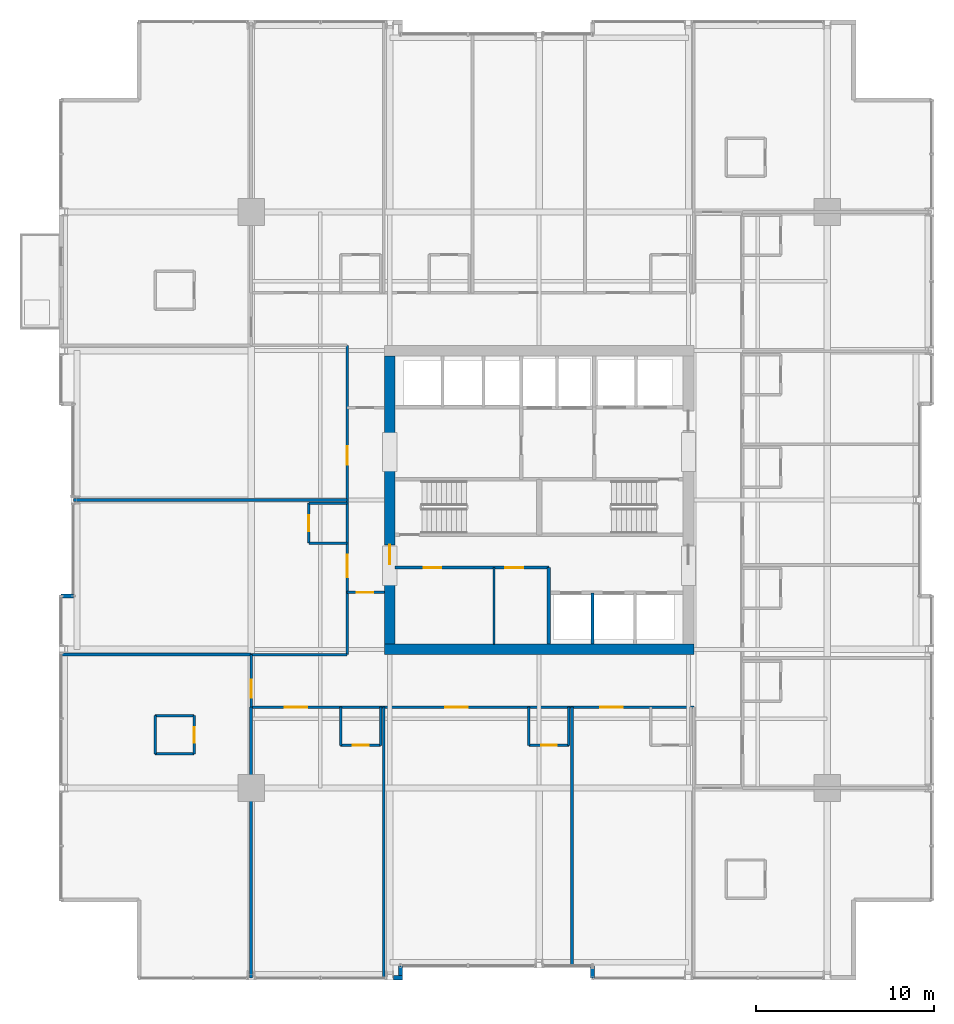
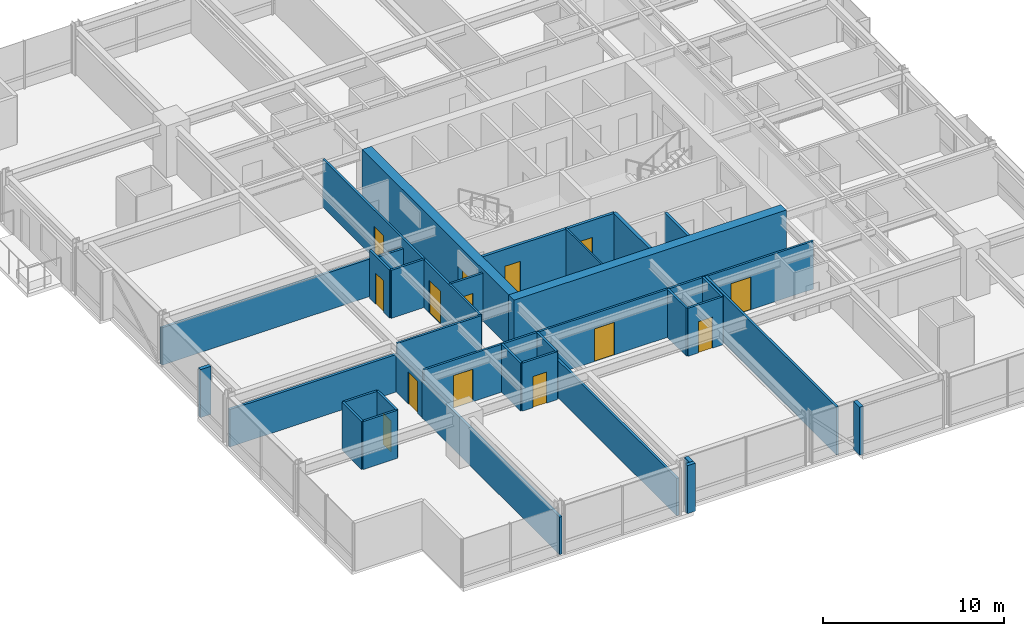
# One storey, part 28 of 35: 33 walls, 14 doors, 14 openings.
"""IFC4 building model written with IfcOpenShell, lengths in metres."""

from ifc_helpers import new_model, si_unit, direction, frame, frame_2d, origin, place, context, subcontext, project, spatial, rectangle, extrude, material, layer, layer_set, type_object, element, fill, save


model = new_model("IFC4")

# Units and contexts
model_context = context("Model", 3, precision=1e-05, world=origin(), true_north=direction((0.0, 1.0)))
body_context = subcontext(model_context, "Body", "Model", "MODEL_VIEW")
ifc_project = project(units=[si_unit("LENGTHUNIT", "METRE"), si_unit("AREAUNIT", "SQUARE_METRE"), si_unit("VOLUMEUNIT", "CUBIC_METRE"), si_unit("PLANEANGLEUNIT", "RADIAN"), si_unit("MASSUNIT", "GRAM", prefix="KILO")], contexts=[model_context])

# Site, building, storey
site_placement = place(None, origin())
site = spatial("IfcSite", under=ifc_project, at=site_placement, CompositionType="ELEMENT")
building_placement = place(site_placement, origin())
building = spatial("IfcBuilding", under=site, at=building_placement, Name="Drelvath Grand Hotel", CompositionType="ELEMENT")
storey_placement = place(building_placement, frame((0.0, 0.0, 130.300048828125)))
storey = spatial("IfcBuildingStorey", under=building, at=storey_placement, Name="L33", CompositionType="ELEMENT", Elevation=130.300048828125)

# Walls
ifc_material_1 = material(Name="Gypsum Partition Board")
ifc_layer_1 = layer(ifc_material_1, 0.10009765625)
ifc_layer_set_1 = layer_set([ifc_layer_1], Name="Gypsum Partition Board")
wall_type_1 = type_object("IfcWallType", Name="Core Closet Partition 100", PredefinedType="PARTITIONING", material=ifc_layer_set_1)
wall_1_placement = place(storey_placement, frame((-2.5400390625, 18.89990234375, 0.0), z_axis=(0.0, 0.0, 1.0), x_axis=(0.0, 1.0, 0.0)))
element("IfcWall", 1, at=wall_1_placement, inside=storey, type_object=wall_type_1, Name="L33 Reclaimed Core Split Wall", PredefinedType="PARTITIONING", context=body_context, shape_type="SweptSolid", body=[
    extrude(rectangle(XDim=4.300048828125, YDim=0.10009765625, at=frame_2d((2.14990234375, 0.0))), origin(), (0.0, 0.0, 1.0), 3.239990234375),
])
ifc_material_2 = material(Name="Concrete C40/50", Category="concrete")
ifc_layer_2 = layer(ifc_material_2, 0.199951171875)
ifc_layer_set_2 = layer_set([ifc_layer_2], Name="Concrete C40/50")
wall_type_2 = type_object("IfcWallType", Name="Core Hoistway Fire Wall 200", PredefinedType="SOLIDWALL", material=ifc_layer_set_2)
wall_2_placement = place(storey_placement, frame((0.550048828125, 18.89990234375, 0.0), z_axis=(0.0, 0.0, 1.0), x_axis=(0.0, 1.0, 0.0)))
element("IfcWall", 2, at=wall_2_placement, inside=storey, type_object=wall_type_2, Name="L33 Bank 2 West Wall", PredefinedType="SOLIDWALL", context=body_context, shape_type="SweptSolid", body=[
    extrude(rectangle(XDim=4.300048828125, YDim=0.199951171875, at=frame_2d((2.14990234375, 0.0))), origin(), (0.0, 0.0, 1.0), 3.239990234375),
])
ifc_material_3 = material(Name="Gypsum Fireboard Partition")
ifc_layer_3 = layer(ifc_material_3, 0.1650390625)
ifc_layer_set_3 = layer_set([ifc_layer_3], Name="Gypsum Fireboard Partition")
wall_type_3 = type_object("IfcWallType", Name="Core Shaft Partition 165", PredefinedType="PARTITIONING", material=ifc_layer_set_3)
wall_3_placement = place(storey_placement, frame((3.0, 18.89990234375, 0.0), z_axis=(0.0, 0.0, 1.0), x_axis=(0.0, 1.0, 0.0)))
element("IfcWall", 3, at=wall_3_placement, inside=storey, type_object=wall_type_3, Name="L33 Lift PE-4/5 Divider", PredefinedType="PARTITIONING", context=body_context, shape_type="SweptSolid", body=[
    extrude(rectangle(XDim=2.880126953125, YDim=0.1650390625, at=frame_2d((1.43994140625, 0.0))), origin(), (0.0, 0.0, 1.0), 3.239990234375),
])

# Wall, opening, door
ifc_layer_4 = layer(ifc_material_3, 0.135009765625)
ifc_layer_set_4 = layer_set([ifc_layer_4], Name="Gypsum Fireboard Partition")
wall_type_4 = type_object("IfcWallType", Name="Corridor Fire Barrier Wall 135", PredefinedType="PARTITIONING", material=ifc_layer_set_4)
wall_4_placement = place(storey_placement, frame((-10.800048828125, 21.800048828125, 0.0), z_axis=(0.0, 0.0, 1.0), x_axis=(1.0, 0.0, 0.0)))
wall_4 = element("IfcWall", 4, at=wall_4_placement, inside=storey, type_object=wall_type_4, Name="L33 West Foyer South Wall", PredefinedType="PARTITIONING", context=body_context, shape_type="SweptSolid", body=[
    extrude(rectangle(XDim=2.10009765625, YDim=0.135009765625, at=frame_2d((1.050048828125, 0.0))), origin(), (0.0, 0.0, 1.0), 3.239990234375),
])
opening_1_placement = place(wall_4_placement, frame((0.550048828125, 0.0, 0.0)))
opening_1 = element("IfcOpeningElement", 5, at=opening_1_placement, cuts=wall_4, Name="Opening D-T2G4-017", PredefinedType="OPENING", context=body_context, shape_type="SweptSolid", body=[
    extrude(rectangle(XDim=0.919921875, YDim=2.10009765625, at=frame_2d((0.4599609375, 1.050048828125))), frame((0.0, 0.077392578125, 0.0), z_axis=(0.0, -1.0, 0.0), x_axis=(1.0, 0.0, 0.0)), (0.0, 0.0, 1.0), 0.155029296875),
])
ifc_material_4 = material(Name="Painted Steel S275", Category="steel")
door_type_1 = type_object("IfcDoorType", Name="Staff Utility Door 920x2100", OperationType="NOTDEFINED", PredefinedType="DOOR", material=ifc_material_4)
door_1_placement = place(opening_1_placement, origin())
door_1 = element("IfcDoor", 6, at=door_1_placement, inside=storey, type_object=door_type_1, Name="L33 West Linen Closet Door", OperationType="SINGLE_SWING_RIGHT", OverallHeight=2.10009765625, OverallWidth=0.919921875, PredefinedType="DOOR", context=body_context, shape_type="SweptSolid", body=[
    extrude(rectangle(XDim=0.919921875, YDim=2.10009765625, at=frame_2d((0.4599609375, 1.050048828125))), frame((0.0, 0.02490234375, 0.0), z_axis=(0.0, -1.0, 0.0), x_axis=(1.0, 0.0, 0.0)), (0.0, 0.0, 1.0), 0.050048828125),
])
fill(opening_1, door_1)

# Wall
wall_5_placement = place(storey_placement, frame((-16.199951171875, 18.300048828125, 0.0), z_axis=(0.0, 0.0, 1.0), x_axis=(1.0, 0.0, 0.0)))
element("IfcWall", 7, at=wall_5_placement, inside=storey, type_object=wall_type_4, Name="L33 SW Stub North Wall", PredefinedType="PARTITIONING", context=body_context, shape_type="SweptSolid", body=[
    extrude(rectangle(XDim=5.39990234375, YDim=0.135009765625, at=frame_2d((2.699951171875, 0.0))), origin(), (0.0, 0.0, 1.0), 3.239990234375),
])

# Wall, openings, doors
wall_6_placement = place(storey_placement, frame((-16.199951171875, 15.35009765625, 0.0), z_axis=(0.0, 0.0, 1.0), x_axis=(1.0, 0.0, 0.0)))
wall_6 = element("IfcWall", 8, at=wall_6_placement, inside=storey, type_object=wall_type_4, Name="L33 South Stub Corridor Wall", PredefinedType="PARTITIONING", context=body_context, shape_type="SweptSolid", body=[
    extrude(rectangle(XDim=24.89990234375, YDim=0.135009765625, at=frame_2d((12.449951171875, 0.0))), origin(), (0.0, 0.0, 1.0), 3.239990234375),
])
opening_2_placement = place(wall_6_placement, frame((1.889892578125, 0.0, 0.0)))
opening_2 = element("IfcOpeningElement", 9, at=opening_2_placement, cuts=wall_6, Name="Opening D-T2G4-028", PredefinedType="OPENING", context=body_context, shape_type="SweptSolid", body=[
    extrude(rectangle(XDim=1.260009765625, YDim=2.199951171875, at=frame_2d((0.6298828125, 1.10009765625))), frame((0.0, 0.077392578125, 0.0), z_axis=(0.0, -1.0, 0.0), x_axis=(1.0, 0.0, 0.0)), (0.0, 0.0, 1.0), 0.155029296875),
])
opening_3_placement = place(wall_6_placement, frame((10.916259765625, 0.0, 0.0)))
opening_3 = element("IfcOpeningElement", 10, at=opening_3_placement, cuts=wall_6, Name="Opening D-T2G4-030", PredefinedType="OPENING", context=body_context, shape_type="SweptSolid", body=[
    extrude(rectangle(XDim=1.260009765625, YDim=2.199951171875, at=frame_2d((0.6298828125, 1.10009765625))), frame((0.0, 0.077392578125, 0.0), z_axis=(0.0, -1.0, 0.0), x_axis=(1.0, 0.0, 0.0)), (0.0, 0.0, 1.0), 0.155029296875),
])
opening_4_placement = place(wall_6_placement, frame((19.631103515625, 0.0, 0.0)))
opening_4 = element("IfcOpeningElement", 11, at=opening_4_placement, cuts=wall_6, Name="Opening D-T2G4-032", PredefinedType="OPENING", context=body_context, shape_type="SweptSolid", body=[
    extrude(rectangle(XDim=1.260009765625, YDim=2.199951171875, at=frame_2d((0.6298828125, 1.10009765625))), frame((0.0, 0.077392578125, 0.0), z_axis=(0.0, -1.0, 0.0), x_axis=(1.0, 0.0, 0.0)), (0.0, 0.0, 1.0), 0.155029296875),
])
ifc_material_5 = material(Name="Hardwood Walnut Timber", Category="wood")
door_type_2 = type_object("IfcDoorType", Name="Suite Entrance Fire Door 1260x2200", OperationType="NOTDEFINED", PredefinedType="DOOR", material=ifc_material_5)
door_2_placement = place(opening_2_placement, origin())
door_2 = element("IfcDoor", 12, at=door_2_placement, inside=storey, type_object=door_type_2, Name="L33 Corner Suite Entry Door", OperationType="SINGLE_SWING_LEFT", OverallHeight=2.199951171875, OverallWidth=1.260009765625, PredefinedType="DOOR", context=body_context, shape_type="SweptSolid", body=[
    extrude(rectangle(XDim=1.260009765625, YDim=2.199951171875, at=frame_2d((0.6298828125, 1.10009765625))), frame((0.0, 0.02490234375, 0.0), z_axis=(0.0, -1.0, 0.0), x_axis=(1.0, 0.0, 0.0)), (0.0, 0.0, 1.0), 0.050048828125),
])
fill(opening_2, door_2)
door_3_placement = place(opening_3_placement, origin())
door_3 = element("IfcDoor", 13, at=door_3_placement, inside=storey, type_object=door_type_2, Name="L33 Corner Suite Entry Door", OperationType="SINGLE_SWING_LEFT", OverallHeight=2.199951171875, OverallWidth=1.260009765625, PredefinedType="DOOR", context=body_context, shape_type="SweptSolid", body=[
    extrude(rectangle(XDim=1.260009765625, YDim=2.199951171875, at=frame_2d((0.6298828125, 1.10009765625))), frame((0.0, 0.02490234375, 0.0), z_axis=(0.0, -1.0, 0.0), x_axis=(1.0, 0.0, 0.0)), (0.0, 0.0, 1.0), 0.050048828125),
])
fill(opening_3, door_3)
door_4_placement = place(opening_4_placement, origin())
door_4 = element("IfcDoor", 14, at=door_4_placement, inside=storey, type_object=door_type_2, Name="L33 Corner Suite Entry Door", OperationType="SINGLE_SWING_LEFT", OverallHeight=2.199951171875, OverallWidth=1.260009765625, PredefinedType="DOOR", context=body_context, shape_type="SweptSolid", body=[
    extrude(rectangle(XDim=1.260009765625, YDim=2.199951171875, at=frame_2d((0.6298828125, 1.10009765625))), frame((0.0, 0.02490234375, 0.0), z_axis=(0.0, -1.0, 0.0), x_axis=(1.0, 0.0, 0.0)), (0.0, 0.0, 1.0), 0.050048828125),
])
fill(opening_4, door_4)

wall_7_placement = place(storey_placement, frame((-10.800048828125, 18.300048828125, 0.0), z_axis=(0.0, 0.0, 1.0), x_axis=(0.0, 1.0, 0.0)))
wall_7 = element("IfcWall", 15, at=wall_7_placement, inside=storey, type_object=wall_type_4, Name="L33 West Spine Wall", PredefinedType="PARTITIONING", context=body_context, shape_type="SweptSolid", body=[
    extrude(rectangle(XDim=17.39990234375, YDim=0.135009765625, at=frame_2d((8.699951171875, 0.0))), origin(), (0.0, 0.0, 1.0), 3.239990234375),
])
opening_5_placement = place(wall_7_placement, frame((4.35498046875, 0.0, 0.0)))
opening_5 = element("IfcOpeningElement", 16, at=opening_5_placement, cuts=wall_7, Name="Opening D-T2G4-051", PredefinedType="OPENING", context=body_context, shape_type="SweptSolid", body=[
    extrude(rectangle(XDim=1.260009765625, YDim=2.199951171875, at=frame_2d((0.6298828125, 1.10009765625))), frame((0.0, 0.077392578125, 0.0), z_axis=(0.0, -1.0, 0.0), x_axis=(1.0, 0.0, 0.0)), (0.0, 0.0, 1.0), 0.155029296875),
])
opening_6_placement = place(wall_7_placement, frame((10.68994140625, 0.0, 0.0)))
opening_6 = element("IfcOpeningElement", 17, at=opening_6_placement, cuts=wall_7, Name="Opening D-T2G4-052", PredefinedType="OPENING", context=body_context, shape_type="SweptSolid", body=[
    extrude(rectangle(XDim=1.02001953125, YDim=2.14990234375, at=frame_2d((0.510009765625, 1.074951171875))), frame((0.0, 0.077392578125, 0.0), z_axis=(0.0, -1.0, 0.0), x_axis=(1.0, 0.0, 0.0)), (0.0, 0.0, 1.0), 0.155029296875),
])
door_type_3 = type_object("IfcDoorType", Name="Amenity Meeting Fire Door 1020x2150", OperationType="NOTDEFINED", PredefinedType="DOOR", material=ifc_material_5)
door_5_placement = place(opening_6_placement, origin())
door_5 = element("IfcDoor", 18, at=door_5_placement, inside=storey, type_object=door_type_3, Name="L33 Quiet Study Room Entry Door", OperationType="SINGLE_SWING_LEFT", OverallHeight=2.14990234375, OverallWidth=1.02001953125, PredefinedType="DOOR", context=body_context, shape_type="SweptSolid", body=[
    extrude(rectangle(XDim=1.02001953125, YDim=2.14990234375, at=frame_2d((0.510009765625, 1.074951171875))), frame((0.0, 0.02490234375, 0.0), z_axis=(0.0, -1.0, 0.0), x_axis=(1.0, 0.0, 0.0)), (0.0, 0.0, 1.0), 0.050048828125),
])
fill(opening_6, door_5)
door_6_placement = place(opening_5_placement, origin())
door_6 = element("IfcDoor", 19, at=door_6_placement, inside=storey, type_object=door_type_2, Name="L33 Corner Suite Entry Door", OperationType="SINGLE_SWING_RIGHT", OverallHeight=2.199951171875, OverallWidth=1.260009765625, PredefinedType="DOOR", context=body_context, shape_type="SweptSolid", body=[
    extrude(rectangle(XDim=1.260009765625, YDim=2.199951171875, at=frame_2d((0.6298828125, 1.10009765625))), frame((0.0, 0.02490234375, 0.0), z_axis=(0.0, -1.0, 0.0), x_axis=(1.0, 0.0, 0.0)), (0.0, 0.0, 1.0), 0.050048828125),
])
fill(opening_5, door_6)

# Wall, opening, door
wall_8_placement = place(storey_placement, frame((-16.199951171875, 15.35009765625, 0.0), z_axis=(0.0, 0.0, 1.0), x_axis=(0.0, 1.0, 0.0)))
wall_8 = element("IfcWall", 20, at=wall_8_placement, inside=storey, type_object=wall_type_4, Name="L33 South Stub West End", PredefinedType="PARTITIONING", context=body_context, shape_type="SweptSolid", body=[
    extrude(rectangle(XDim=2.949951171875, YDim=0.135009765625, at=frame_2d((1.47509765625, 0.0))), origin(), (0.0, 0.0, 1.0), 2.529541015625),
])
opening_7_placement = place(wall_8_placement, frame((0.52001953125, 0.0, 0.0)))
opening_7 = element("IfcOpeningElement", 21, at=opening_7_placement, cuts=wall_8, Name="Opening D-T2G4-020", PredefinedType="OPENING", context=body_context, shape_type="SweptSolid", body=[
    extrude(rectangle(XDim=1.02001953125, YDim=2.14990234375, at=frame_2d((0.510009765625, 1.074951171875))), frame((0.0, 0.077392578125, 0.0), z_axis=(0.0, -1.0, 0.0), x_axis=(1.0, 0.0, 0.0)), (0.0, 0.0, 1.0), 0.155029296875),
])
door_7_placement = place(opening_7_placement, origin())
door_7 = element("IfcDoor", 22, at=door_7_placement, inside=storey, type_object=door_type_3, Name="L33 Corner Suite Entry Door", OperationType="SINGLE_SWING_LEFT", OverallHeight=2.14990234375, OverallWidth=1.02001953125, PredefinedType="DOOR", context=body_context, shape_type="SweptSolid", body=[
    extrude(rectangle(XDim=1.02001953125, YDim=2.14990234375, at=frame_2d((0.510009765625, 1.074951171875))), frame((0.0, 0.02490234375, 0.0), z_axis=(0.0, -1.0, 0.0), x_axis=(1.0, 0.0, 0.0)), (0.0, 0.0, 1.0), 0.050048828125),
])
fill(opening_7, door_7)

# Walls
ifc_material_6 = material(Name="Moisture-Resistant Gypsum Board")
ifc_layer_5 = layer(ifc_material_6, 0.139892578125)
ifc_layer_set_5 = layer_set([ifc_layer_5], Name="Moisture-Resistant Gypsum Board")
wall_type_5 = type_object("IfcWallType", Name="En-Suite Plumbing Wall 140", PredefinedType="PLUMBINGWALL", material=ifc_layer_set_5)
for number, where, z_axis, x_axis, name in (
    (23, (-21.60009765625, 12.719970703125, 0.0), (0.0, 0.0, 1.0), (1.0, 0.0, 0.0), "L33 Corner En-Suite South"),
    (24, (-21.60009765625, 14.8701171875, 0.0), (0.0, 0.0, 1.0), (1.0, 0.0, 0.0), "L33 Corner En-Suite North"),
):
    element("IfcWall", number, at=place(storey_placement, frame(where, z_axis=z_axis, x_axis=x_axis)), inside=storey, type_object=wall_type_5, Name=name, PredefinedType="PLUMBINGWALL", context=body_context, shape_type="SweptSolid", body=[
        extrude(rectangle(XDim=2.2001953125, YDim=0.139892578125, at=frame_2d((1.10009765625, 0.0))), origin(), (0.0, 0.0, 1.0), 3.239990234375),
    ])
wall_9_placement = place(storey_placement, frame((-21.60009765625, 12.719970703125, 0.0), z_axis=(0.0, 0.0, 1.0), x_axis=(0.0, 1.0, 0.0)))
element("IfcWall", 25, at=wall_9_placement, inside=storey, type_object=wall_type_5, Name="L33 Corner En-Suite West", PredefinedType="PLUMBINGWALL", context=body_context, shape_type="SweptSolid", body=[
    extrude(rectangle(XDim=2.150146484375, YDim=0.139892578125, at=frame_2d((1.0751953125, 0.0))), origin(), (0.0, 0.0, 1.0), 3.239990234375),
])

# Wall, opening, door
wall_10_placement = place(storey_placement, frame((-19.39990234375, 12.719970703125, 0.0), z_axis=(0.0, 0.0, 1.0), x_axis=(0.0, 1.0, 0.0)))
wall_10 = element("IfcWall", 26, at=wall_10_placement, inside=storey, type_object=wall_type_5, Name="L33 Corner En-Suite East", PredefinedType="PLUMBINGWALL", context=body_context, shape_type="SweptSolid", body=[
    extrude(rectangle(XDim=2.150146484375, YDim=0.139892578125, at=frame_2d((1.0751953125, 0.0))), origin(), (0.0, 0.0, 1.0), 3.239990234375),
])
opening_8_placement = place(wall_10_placement, frame((0.6201171875, 0.0, 0.0)))
opening_8 = element("IfcOpeningElement", 27, at=opening_8_placement, cuts=wall_10, Name="Opening D-T2G4-019", PredefinedType="OPENING", context=body_context, shape_type="SweptSolid", body=[
    extrude(rectangle(XDim=0.8798828125, YDim=2.10009765625, at=frame_2d((0.43994140625, 1.050048828125))), frame((0.0, 0.079833984375, 0.0), z_axis=(0.0, -1.0, 0.0), x_axis=(1.0, 0.0, 0.0)), (0.0, 0.0, 1.0), 0.159912109375),
])
door_type_4 = type_object("IfcDoorType", Name="En-Suite Bathroom Door 880x2100", OperationType="NOTDEFINED", PredefinedType="DOOR", material=ifc_material_5)
door_8_placement = place(opening_8_placement, origin())
door_8 = element("IfcDoor", 28, at=door_8_placement, inside=storey, type_object=door_type_4, Name="L33 Corner En-Suite Door", OperationType="SINGLE_SWING_RIGHT", OverallHeight=2.10009765625, OverallWidth=0.8798828125, PredefinedType="DOOR", context=body_context, shape_type="SweptSolid", body=[
    extrude(rectangle(XDim=0.8798828125, YDim=2.10009765625, at=frame_2d((0.43994140625, 1.050048828125))), frame((0.0, 0.02490234375, 0.0), z_axis=(0.0, -1.0, 0.0), x_axis=(1.0, 0.0, 0.0)), (0.0, 0.0, 1.0), 0.050048828125),
])
fill(opening_8, door_8)

# Walls
for number, where, z_axis, x_axis, name in (
    (29, (-11.159912109375, 15.35009765625, 0.0), (0.0, 0.0, 1.0), (0.0, -1.0, 0.0), "L33 En-Suite Left Wall"),
    (30, (-8.909912109375, 15.35009765625, 0.0), (0.0, 0.0, 1.0), (0.0, -1.0, 0.0), "L33 En-Suite Right Wall"),
):
    element("IfcWall", number, at=place(storey_placement, frame(where, z_axis=z_axis, x_axis=x_axis)), inside=storey, type_object=wall_type_5, Name=name, PredefinedType="PLUMBINGWALL", context=body_context, shape_type="SweptSolid", body=[
        extrude(rectangle(XDim=2.150146484375, YDim=0.139892578125, at=frame_2d((1.0751953125, 0.0))), origin(), (0.0, 0.0, 1.0), 3.239990234375),
    ])

# Wall, opening, door
wall_11_placement = place(storey_placement, frame((-11.159912109375, 13.199951171875, 0.0), z_axis=(0.0, 0.0, 1.0), x_axis=(1.0, 0.0, 0.0)))
wall_11 = element("IfcWall", 31, at=wall_11_placement, inside=storey, type_object=wall_type_5, Name="L33 En-Suite Front Wall", PredefinedType="PLUMBINGWALL", context=body_context, shape_type="SweptSolid", body=[
    extrude(rectangle(XDim=2.25, YDim=0.139892578125, at=frame_2d((1.125, 0.0))), origin(), (0.0, 0.0, 1.0), 3.239990234375),
])
opening_9_placement = place(wall_11_placement, frame((0.68505859375, 0.0, 0.0)))
opening_9 = element("IfcOpeningElement", 32, at=opening_9_placement, cuts=wall_11, Name="Opening D-T2G4-027", PredefinedType="OPENING", context=body_context, shape_type="SweptSolid", body=[
    extrude(rectangle(XDim=0.8798828125, YDim=2.10009765625, at=frame_2d((0.43994140625, 1.050048828125))), frame((0.0, 0.079833984375, 0.0), z_axis=(0.0, -1.0, 0.0), x_axis=(1.0, 0.0, 0.0)), (0.0, 0.0, 1.0), 0.159912109375),
])
door_9_placement = place(opening_9_placement, origin())
door_9 = element("IfcDoor", 33, at=door_9_placement, inside=storey, type_object=door_type_4, Name="L33 En-Suite Bathroom Door", OperationType="SINGLE_SWING_RIGHT", OverallHeight=2.10009765625, OverallWidth=0.8798828125, PredefinedType="DOOR", context=body_context, shape_type="SweptSolid", body=[
    extrude(rectangle(XDim=0.8798828125, YDim=2.10009765625, at=frame_2d((0.43994140625, 1.050048828125))), frame((0.0, 0.02490234375, 0.0), z_axis=(0.0, -1.0, 0.0), x_axis=(1.0, 0.0, 0.0)), (0.0, 0.0, 1.0), 0.050048828125),
])
fill(opening_9, door_9)

# Walls
for number, where, z_axis, x_axis, name in (
    (34, (-0.577392578125, 15.35009765625, 0.0), (0.0, 0.0, 1.0), (0.0, -1.0, 0.0), "L33 En-Suite Left Wall"),
    (35, (1.672607421875, 15.35009765625, 0.0), (0.0, 0.0, 1.0), (0.0, -1.0, 0.0), "L33 En-Suite Right Wall"),
):
    element("IfcWall", number, at=place(storey_placement, frame(where, z_axis=z_axis, x_axis=x_axis)), inside=storey, type_object=wall_type_5, Name=name, PredefinedType="PLUMBINGWALL", context=body_context, shape_type="SweptSolid", body=[
        extrude(rectangle(XDim=2.150146484375, YDim=0.139892578125, at=frame_2d((1.0751953125, 0.0))), origin(), (0.0, 0.0, 1.0), 3.239990234375),
    ])

# Wall, opening, door
wall_12_placement = place(storey_placement, frame((-0.577392578125, 13.199951171875, 0.0), z_axis=(0.0, 0.0, 1.0), x_axis=(1.0, 0.0, 0.0)))
wall_12 = element("IfcWall", 36, at=wall_12_placement, inside=storey, type_object=wall_type_5, Name="L33 En-Suite Front Wall", PredefinedType="PLUMBINGWALL", context=body_context, shape_type="SweptSolid", body=[
    extrude(rectangle(XDim=2.25, YDim=0.139892578125, at=frame_2d((1.125, 0.0))), origin(), (0.0, 0.0, 1.0), 3.239990234375),
])
opening_10_placement = place(wall_12_placement, frame((0.68505859375, 0.0, 0.0)))
opening_10 = element("IfcOpeningElement", 37, at=opening_10_placement, cuts=wall_12, Name="Opening D-T2G4-029", PredefinedType="OPENING", context=body_context, shape_type="SweptSolid", body=[
    extrude(rectangle(XDim=0.8798828125, YDim=2.10009765625, at=frame_2d((0.43994140625, 1.050048828125))), frame((0.0, 0.079833984375, 0.0), z_axis=(0.0, -1.0, 0.0), x_axis=(1.0, 0.0, 0.0)), (0.0, 0.0, 1.0), 0.159912109375),
])
door_10_placement = place(opening_10_placement, origin())
door_10 = element("IfcDoor", 38, at=door_10_placement, inside=storey, type_object=door_type_4, Name="L33 En-Suite Bathroom Door", OperationType="SINGLE_SWING_RIGHT", OverallHeight=2.10009765625, OverallWidth=0.8798828125, PredefinedType="DOOR", context=body_context, shape_type="SweptSolid", body=[
    extrude(rectangle(XDim=0.8798828125, YDim=2.10009765625, at=frame_2d((0.43994140625, 1.050048828125))), frame((0.0, 0.02490234375, 0.0), z_axis=(0.0, -1.0, 0.0), x_axis=(1.0, 0.0, 0.0)), (0.0, 0.0, 1.0), 0.050048828125),
])
fill(opening_10, door_10)

# Walls
wall_13_placement = place(storey_placement, frame((-10.800048828125, 24.570068359375, 0.0), z_axis=(0.0, 0.0, 1.0), x_axis=(-1.0, 0.0, 0.0)))
element("IfcWall", 39, at=wall_13_placement, inside=storey, type_object=wall_type_5, Name="L33 En-Suite Left Wall", PredefinedType="PLUMBINGWALL", context=body_context, shape_type="SweptSolid", body=[
    extrude(rectangle(XDim=2.14990234375, YDim=0.139892578125, at=frame_2d((1.074951171875, 0.0))), origin(), (0.0, 0.0, 1.0), 3.239990234375),
])
wall_14_placement = place(storey_placement, frame((-10.800048828125, 26.820068359375, 0.0), z_axis=(0.0, 0.0, 1.0), x_axis=(-1.0, 0.0, 0.0)))
element("IfcWall", 40, at=wall_14_placement, inside=storey, type_object=wall_type_5, Name="L33 En-Suite Right Wall", PredefinedType="PLUMBINGWALL", context=body_context, shape_type="SweptSolid", body=[
    extrude(rectangle(XDim=2.14990234375, YDim=0.139892578125, at=frame_2d((1.074951171875, 0.0))), origin(), (0.0, 0.0, 1.0), 2.617431640625),
])

# Wall, opening, door
wall_15_placement = place(storey_placement, frame((-12.949951171875, 24.570068359375, 0.0), z_axis=(0.0, 0.0, 1.0), x_axis=(0.0, 1.0, 0.0)))
wall_15 = element("IfcWall", 41, at=wall_15_placement, inside=storey, type_object=wall_type_5, Name="L33 En-Suite Front Wall", PredefinedType="PLUMBINGWALL", context=body_context, shape_type="SweptSolid", body=[
    extrude(rectangle(XDim=2.25, YDim=0.139892578125, at=frame_2d((1.125, 0.0))), origin(), (0.0, 0.0, 1.0), 3.239990234375),
])
opening_11_placement = place(wall_15_placement, frame((0.68505859375, 0.0, 0.0)))
opening_11 = element("IfcOpeningElement", 42, at=opening_11_placement, cuts=wall_15, Name="Opening D-T2G4-050", PredefinedType="OPENING", context=body_context, shape_type="SweptSolid", body=[
    extrude(rectangle(XDim=0.8798828125, YDim=2.10009765625, at=frame_2d((0.43994140625, 1.050048828125))), frame((0.0, 0.079833984375, 0.0), z_axis=(0.0, -1.0, 0.0), x_axis=(1.0, 0.0, 0.0)), (0.0, 0.0, 1.0), 0.159912109375),
])
door_11_placement = place(opening_11_placement, origin())
door_11 = element("IfcDoor", 43, at=door_11_placement, inside=storey, type_object=door_type_4, Name="L33 En-Suite Bathroom Door", OperationType="SINGLE_SWING_LEFT", OverallHeight=2.10009765625, OverallWidth=0.8798828125, PredefinedType="DOOR", context=body_context, shape_type="SweptSolid", body=[
    extrude(rectangle(XDim=0.8798828125, YDim=2.10009765625, at=frame_2d((0.43994140625, 1.050048828125))), frame((0.0, 0.02490234375, 0.0), z_axis=(0.0, -1.0, 0.0), x_axis=(1.0, 0.0, 0.0)), (0.0, 0.0, 1.0), 0.050048828125),
])
fill(opening_11, door_11)

# Wall, openings, doors
ifc_layer_6 = layer(ifc_material_3, 0.179931640625)
ifc_layer_set_6 = layer_set([ifc_layer_6], Name="Gypsum Fireboard Partition")
wall_type_6 = type_object("IfcWallType", Name="FSAE Smoke Lobby Fire Wall 180", PredefinedType="SOLIDWALL", material=ifc_layer_set_6)
wall_16_placement = place(storey_placement, frame((-8.10009765625, 23.199951171875, 0.0), z_axis=(0.0, 0.0, 1.0), x_axis=(1.0, 0.0, 0.0)))
wall_16 = element("IfcWall", 44, at=wall_16_placement, inside=storey, type_object=wall_type_6, Name="L33 Reclaimed Core Room Wall", PredefinedType="SOLIDWALL", context=body_context, shape_type="SweptSolid", body=[
    extrude(rectangle(XDim=8.650146484375, YDim=0.179931640625, at=frame_2d((4.3251953125, 0.0))), origin(), (0.0, 0.0, 1.0), 3.239990234375),
])
opening_12_placement = place(wall_16_placement, frame((1.60009765625, 0.0, 0.0)))
opening_12 = element("IfcOpeningElement", 45, at=opening_12_placement, cuts=wall_16, Name="Opening D-T2G4-015", PredefinedType="OPENING", context=body_context, shape_type="SweptSolid", body=[
    extrude(rectangle(XDim=1.0, YDim=2.10009765625, at=frame_2d((0.5, 1.050048828125))), frame((0.0, 0.099853515625, 0.0), z_axis=(0.0, -1.0, 0.0), x_axis=(1.0, 0.0, 0.0)), (0.0, 0.0, 1.0), 0.199951171875),
])
opening_13_placement = place(wall_16_placement, frame((6.199951171875, 0.0, 0.0)))
opening_13 = element("IfcOpeningElement", 46, at=opening_13_placement, cuts=wall_16, Name="Opening D-T2G4-016", PredefinedType="OPENING", context=body_context, shape_type="SweptSolid", body=[
    extrude(rectangle(XDim=1.0, YDim=2.10009765625, at=frame_2d((0.5, 1.050048828125))), frame((0.0, 0.099853515625, 0.0), z_axis=(0.0, -1.0, 0.0), x_axis=(1.0, 0.0, 0.0)), (0.0, 0.0, 1.0), 0.199951171875),
])
door_type_5 = type_object("IfcDoorType", Name="Core Service Fire Door 1000x2100", OperationType="NOTDEFINED", PredefinedType="DOOR", material=ifc_material_4)
door_12_placement = place(opening_12_placement, origin())
door_12 = element("IfcDoor", 47, at=door_12_placement, inside=storey, type_object=door_type_5, Name="L33 Housekeeping Door", OperationType="SINGLE_SWING_RIGHT", OverallHeight=2.10009765625, OverallWidth=1.0, PredefinedType="DOOR", context=body_context, shape_type="SweptSolid", body=[
    extrude(rectangle(XDim=1.0, YDim=2.10009765625, at=frame_2d((0.5, 1.050048828125))), frame((0.0, 0.02490234375, 0.0), z_axis=(0.0, -1.0, 0.0), x_axis=(1.0, 0.0, 0.0)), (0.0, 0.0, 1.0), 0.050048828125),
])
fill(opening_12, door_12)
door_13_placement = place(opening_13_placement, origin())
door_13 = element("IfcDoor", 48, at=door_13_placement, inside=storey, type_object=door_type_5, Name="L33 Butler Pantry Door", OperationType="SINGLE_SWING_LEFT", OverallHeight=2.10009765625, OverallWidth=1.0, PredefinedType="DOOR", context=body_context, shape_type="SweptSolid", body=[
    extrude(rectangle(XDim=1.0, YDim=2.10009765625, at=frame_2d((0.5, 1.050048828125))), frame((0.0, 0.02490234375, 0.0), z_axis=(0.0, -1.0, 0.0), x_axis=(1.0, 0.0, 0.0)), (0.0, 0.0, 1.0), 0.050048828125),
])
fill(opening_13, door_13)

# Walls
ifc_material_7 = material(Name="Gypsum Acoustic Partition")
ifc_layer_7 = layer(ifc_material_7, 0.14990234375)
ifc_layer_set_7 = layer_set([ifc_layer_7], Name="Gypsum Acoustic Partition")
wall_type_7 = type_object("IfcWallType", Name="Guestroom Demising Wall 150", PredefinedType="PARTITIONING", material=ifc_layer_set_7)
wall_17_placement = place(storey_placement, frame((-8.72998046875, 0.1201171875, 0.0), z_axis=(0.0, 0.0, 1.0), x_axis=(0.0, 1.0, 0.0)))
element("IfcWall", 49, at=wall_17_placement, inside=storey, type_object=wall_type_7, Name="L33 South Demising 1", PredefinedType="PARTITIONING", context=body_context, shape_type="SweptSolid", body=[
    extrude(rectangle(XDim=15.22998046875, YDim=0.14990234375, at=frame_2d((7.614990234375, 0.0))), origin(), (0.0, 0.0, 1.0), 2.529541015625),
])
wall_18_placement = place(storey_placement, frame((1.8525390625, 0.800048828125, 0.0), z_axis=(0.0, 0.0, 1.0), x_axis=(0.0, 1.0, 0.0)))
element("IfcWall", 50, at=wall_18_placement, inside=storey, type_object=wall_type_7, Name="L33 South Demising 2", PredefinedType="PARTITIONING", context=body_context, shape_type="SweptSolid", body=[
    extrude(rectangle(XDim=14.550048828125, YDim=0.14990234375, at=frame_2d((7.27490234375, 0.0))), origin(), (0.0, 0.0, 1.0), 3.239990234375),
])
wall_19_placement = place(storey_placement, frame((-26.199951171875, 27.0, 0.0), z_axis=(0.0, 0.0, 1.0), x_axis=(1.0, 0.0, 0.0)))
element("IfcWall", 51, at=wall_19_placement, inside=storey, type_object=wall_type_7, Name="L33 West Suite Demising Wall", PredefinedType="PARTITIONING", context=body_context, shape_type="SweptSolid", body=[
    extrude(rectangle(XDim=15.39990234375, YDim=0.14990234375, at=frame_2d((7.699951171875, 0.0))), origin(), (0.0, 0.0, 1.0), 2.529541015625),
])
ifc_material_8 = material(Name="Concrete f'c 70 MPa", Category="concrete")
ifc_layer_8 = layer(ifc_material_8, 0.60009765625)
ifc_layer_set_8 = layer_set([ifc_layer_8], Name="Concrete f'c 70 MPa")
wall_type_8 = type_object("IfcWallType", Name="Lower Core RC Shear Wall 600", PredefinedType="SHEAR", material=ifc_layer_set_8)
wall_20_placement = place(storey_placement, frame((8.699951171875, 18.60009765625, 0.0), z_axis=(0.0, 0.0, 1.0), x_axis=(-1.0, 0.0, 0.0)))
element("IfcWall", 52, at=wall_20_placement, inside=storey, type_object=wall_type_8, Name="L33 Central Core Shear Wall S", PredefinedType="SHEAR", context=body_context, shape_type="SweptSolid", body=[
    extrude(rectangle(XDim=17.39990234375, YDim=0.60009765625, at=frame_2d((8.699951171875, 0.0))), origin(), (0.0, 0.0, 1.0), 3.5),
])

# Wall, opening, door
wall_21_placement = place(storey_placement, frame((-8.39990234375, 18.89990234375, 0.0), z_axis=(0.0, 0.0, 1.0), x_axis=(0.0, 1.0, 0.0)))
wall_21 = element("IfcWall", 53, at=wall_21_placement, inside=storey, type_object=wall_type_8, Name="L33 Central Core Shear Wall W", PredefinedType="SHEAR", context=body_context, shape_type="SweptSolid", body=[
    extrude(rectangle(XDim=16.2001953125, YDim=0.60009765625, at=frame_2d((8.10009765625, 0.0))), origin(), (0.0, 0.0, 1.0), 3.5),
])
opening_14_placement = place(wall_21_placement, frame((4.5, 0.0, 0.0)))
opening_14 = element("IfcOpeningElement", 54, at=opening_14_placement, cuts=wall_21, Name="Opening D-T2G4-013", PredefinedType="OPENING", context=body_context, shape_type="SweptSolid", body=[
    extrude(rectangle(XDim=1.080078125, YDim=2.0400390625, at=frame_2d((0.5400390625, 1.02001953125))), frame((0.0, 0.31005859375, 0.0), z_axis=(0.0, -1.0, 0.0), x_axis=(1.0, 0.0, 0.0)), (0.0, 0.0, 1.0), 0.6201171875),
])
door_type_6 = type_object("IfcDoorType", Name="Core Corridor Fire Door 1080x2100", OperationType="NOTDEFINED", PredefinedType="DOOR", material=ifc_material_4)
door_14_placement = place(opening_14_placement, origin())
door_14 = element("IfcDoor", 55, at=door_14_placement, inside=storey, type_object=door_type_6, Name="L33 Mid-Rise Lobby West Door", OperationType="SINGLE_SWING_RIGHT", OverallHeight=2.0400390625, OverallWidth=1.080078125, PredefinedType="DOOR", context=body_context, shape_type="SweptSolid", body=[
    extrude(rectangle(XDim=1.080078125, YDim=2.0400390625, at=frame_2d((0.5400390625, 1.02001953125))), frame((0.0, 0.02490234375, 0.0), z_axis=(0.0, -1.0, 0.0), x_axis=(1.0, 0.0, 0.0)), (0.0, 0.0, 1.0), 0.050048828125),
])
fill(opening_14, door_14)

# Walls
ifc_layer_9 = layer(ifc_material_7, 0.1650390625)
ifc_layer_set_9 = layer_set([ifc_layer_9], Name="Gypsum Acoustic Partition")
wall_type_9 = type_object("IfcWallType", Name="Suite Demising Wall 165", PredefinedType="PARTITIONING", material=ifc_layer_set_9)
wall_22_placement = place(storey_placement, frame((-16.199951171875, 0.1201171875, 0.0), z_axis=(0.0, 0.0, 1.0), x_axis=(0.0, 1.0, 0.0)))
element("IfcWall", 56, at=wall_22_placement, inside=storey, type_object=wall_type_9, Name="L33 SW Suite East Wall", PredefinedType="PARTITIONING", context=body_context, shape_type="SweptSolid", body=[
    extrude(rectangle(XDim=15.22998046875, YDim=0.1650390625, at=frame_2d((7.614990234375, 0.0))), origin(), (0.0, 0.0, 1.0), 2.529541015625),
])
wall_23_placement = place(storey_placement, frame((-26.8798828125, 18.300048828125, 0.0), z_axis=(0.0, 0.0, 1.0), x_axis=(1.0, 0.0, 0.0)))
element("IfcWall", 57, at=wall_23_placement, inside=storey, type_object=wall_type_9, Name="L33 SW Suite North Wall", PredefinedType="PARTITIONING", context=body_context, shape_type="SweptSolid", body=[
    extrude(rectangle(XDim=10.679931640625, YDim=0.1650390625, at=frame_2d((5.33984375, 0.0))), origin(), (0.0, 0.0, 1.0), 2.529541015625),
])
ifc_material_9 = material(Name="Pale-Metal Insulated Aluminium Spandrel Assembly", Category="aluminium")
ifc_layer_10 = layer(ifc_material_9, 0.239990234375)
ifc_layer_set_10 = layer_set([ifc_layer_10], Name="Pale-Metal Insulated Aluminium Spandrel Assembly")
wall_type_10 = type_object("IfcWallType", Name="Tower Insulated Metal Spandrel Closure Wall 240", PredefinedType="STANDARD", material=ifc_layer_set_10)
wall_24_placement = place(storey_placement, frame((-7.679931640625, 0.1201171875, 0.0), z_axis=(0.0, 0.0, 1.0), x_axis=(-1.0, 0.0, 0.0)))
element("IfcWall", 58, at=wall_24_placement, inside=storey, type_object=wall_type_10, Name="L33 Corner Pier Spandrel Wall SW3", PredefinedType="STANDARD", context=body_context, shape_type="SweptSolid", body=[
    extrude(rectangle(XDim=0.5107421875, YDim=0.239990234375, at=frame_2d((0.25537109375, 0.0))), origin(), (0.0, 0.0, 1.0), 3.239990234375),
])
for number, where, z_axis, x_axis, name in (
    (59, (-26.8798828125, 21.60009765625, 0.0), (0.0, 0.0, 1.0), (1.0, 0.0, 0.0), "L33 Notched Corner Return Spandrel Wall RW1"),
    (60, (3.0, 0.1201171875, 0.0), (0.0, 0.0, 1.0), (0.0, 1.0, 0.0), "L33 Notched Corner Return Spandrel Wall RS1"),
):
    element("IfcWall", number, at=place(storey_placement, frame(where, z_axis=z_axis, x_axis=x_axis)), inside=storey, type_object=wall_type_10, Name=name, PredefinedType="STANDARD", context=body_context, shape_type="SweptSolid", body=[
        extrude(rectangle(XDim=0.679931640625, YDim=0.239990234375, at=frame_2d((0.33984375, 0.0))), origin(), (0.0, 0.0, 1.0), 3.239990234375),
    ])
wall_25_placement = place(storey_placement, frame((-7.800048828125, 0.800048828125, 0.0), z_axis=(0.0, 0.0, 1.0), x_axis=(0.0, -1.0, 0.0)))
element("IfcWall", 61, at=wall_25_placement, inside=storey, type_object=wall_type_10, Name="L33 Notched Corner Return Spandrel Wall RS2", PredefinedType="STANDARD", context=body_context, shape_type="SweptSolid", body=[
    extrude(rectangle(XDim=0.56005859375, YDim=0.239990234375, at=frame_2d((0.280029296875, 0.0))), origin(), (0.0, 0.0, 1.0), 3.239990234375),
])

save(model, "model.ifc")
